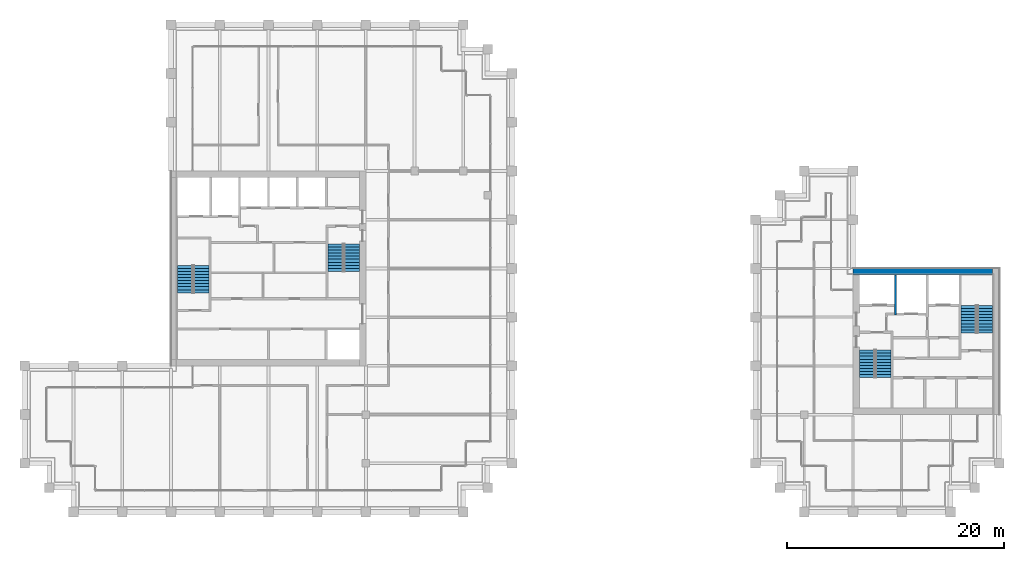
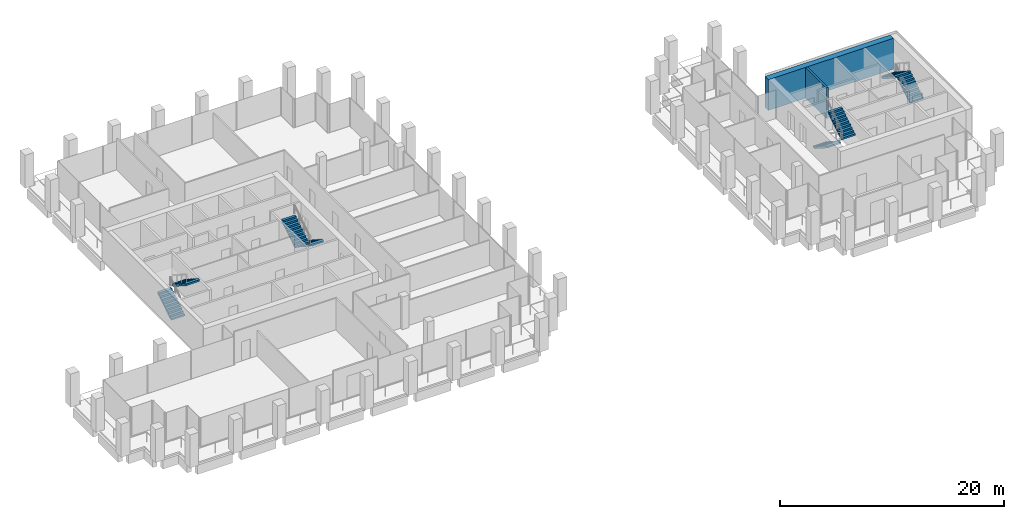
# One storey, part 39 of 40: 8 stair flights, 2 walls, 4 elements without a shape of their own.
"""IFC4 building model written with IfcOpenShell, lengths in metres."""

import ifcopenshell
import ifcopenshell.guid

model = None  # the IFC model being written
_history = None  # IfcOwnerHistory: only IFC2X3 demands one
_inside = {}  # id of a spatial element -> (the spatial element, [elements in it])
_under = {}  # id of a project, library or spatial element -> (it, [spatial elements below it])
_declared = {}  # id of a project -> (the project, [libraries it declares])
_typed = {}  # id of a type object -> (the type object, [elements of that type])
_made_of = {}  # id of a material, layer set ... -> (it, [elements and type objects made of it])


def new_model(schema):
    """Start an empty IFC model of exactly this schema.

    Asked for "IFC4X3", IfcOpenShell would pick the latest addendum, in which some entities
    have other attributes; the version numbers below select the first issue.
    IFC2X3 requires an IfcOwnerHistory on every rooted entity: one is made here for all.
    """
    global model, _history
    if schema == "IFC4X3":
        model = ifcopenshell.file(schema_version=(4, 3, 0, 0))
    else:
        model = ifcopenshell.file(schema=schema)
    _inside.clear()
    _under.clear()
    _declared.clear()
    _typed.clear()
    _made_of.clear()
    _history = None
    if model.schema == "IFC2X3":
        org = make("IfcOrganization", Name="unknown")
        user = make(
            "IfcPersonAndOrganization",
            ThePerson=make("IfcPerson", FamilyName="unknown"),
            TheOrganization=org,
        )
        app = make(
            "IfcApplication",
            ApplicationDeveloper=org,
            Version="unknown",
            ApplicationFullName="unknown",
            ApplicationIdentifier="unknown",
        )
        _history = make(
            "IfcOwnerHistory",
            OwningUser=user,
            OwningApplication=app,
            ChangeAction="ADDED",
            CreationDate=0,
        )
    return model


def make(cls, **values):
    """One entity of the class cls with the attributes given. An attribute that is None is left unset."""
    return model.create_entity(
        cls, **{name: value for name, value in values.items() if value is not None}
    )


def rooted(cls, **values):
    """An entity with a GlobalId (a new one), such as an element, a storey or a relation."""
    return make(cls, GlobalId=ifcopenshell.guid.new(), OwnerHistory=_history, **values)


def si_unit(unit_type, name, prefix=None):
    """IfcSIUnit, for example si_unit("LENGTHUNIT", "METRE", prefix="MILLI")."""
    return make("IfcSIUnit", UnitType=unit_type, Prefix=prefix, Name=name)


def assignment(units):
    """IfcUnitAssignment: the units of a project."""
    return None if units is None else make("IfcUnitAssignment", Units=units)


def point(xyz):
    """IfcCartesianPoint."""
    return None if xyz is None else make("IfcCartesianPoint", Coordinates=xyz)


def direction(xyz):
    """IfcDirection."""
    return None if xyz is None else make("IfcDirection", DirectionRatios=xyz)


def frame(location, z_axis=None, x_axis=None):
    """IfcAxis2Placement3D, a coordinate frame: its origin and axes. An axis left out is left unset."""
    return make(
        "IfcAxis2Placement3D",
        Location=point(location),
        Axis=direction(z_axis),
        RefDirection=direction(x_axis),
    )


def frame_2d(location, x_axis=None):
    """IfcAxis2Placement2D, a coordinate frame in the plane: its origin and x axis."""
    return make(
        "IfcAxis2Placement2D", Location=point(location), RefDirection=direction(x_axis)
    )


def origin():
    """The frame at (0, 0, 0) with its axes left unset."""
    return frame((0.0, 0.0, 0.0))


def place(relative_to, where):
    """IfcLocalPlacement: puts the frame where relative to a parent placement (None: the world)."""
    return make(
        "IfcLocalPlacement", PlacementRelTo=relative_to, RelativePlacement=where
    )


def context(
    kind, dimensions, precision=None, world=None, true_north=None, identifier=None
):
    """IfcGeometricRepresentationContext, for example the 3D "Model" context."""
    return make(
        "IfcGeometricRepresentationContext",
        ContextIdentifier=identifier,
        ContextType=kind,
        CoordinateSpaceDimension=dimensions,
        Precision=precision,
        WorldCoordinateSystem=world,
        TrueNorth=true_north,
    )


def subcontext(parent, identifier, kind, view, scale=None):
    """IfcGeometricRepresentationSubContext, for example "Body" below "Model"."""
    return make(
        "IfcGeometricRepresentationSubContext",
        ContextIdentifier=identifier,
        ContextType=kind,
        ParentContext=parent,
        TargetScale=scale,
        TargetView=view,
    )


def project(units=None, contexts=None):
    """IfcProject with its units and contexts."""
    return rooted(
        "IfcProject",
        Name="project",
        RepresentationContexts=contexts,
        UnitsInContext=assignment(units),
    )


def spatial(cls, under=None, at=None, **own):
    """A site, building, storey or space (cls), placed at a placement, below another one or the project."""
    s = rooted(cls, ObjectPlacement=at, **own)
    if under is not None:
        _under.setdefault(under.id(), (under, []))[1].append(s)
    return s


def polyline(points):
    """IfcPolyline through the points."""
    return make("IfcPolyline", Points=[point(p) for p in points])


def profile(cls, at=None, kind="AREA", **sizes):
    """A parametric profile (cls). Its sizes go by their IFC names, for example OverallWidth=200.0."""
    return make(cls, ProfileType=kind, Position=at, **sizes)


def rectangle(**sizes):
    """IfcRectangleProfileDef."""
    return profile("IfcRectangleProfileDef", **sizes)


def outline(outer, holes=None, kind="AREA"):
    """IfcArbitraryClosedProfileDef: a profile drawn as a closed curve; with holes, ...WithVoids."""
    if holes is None:
        return make("IfcArbitraryClosedProfileDef", ProfileType=kind, OuterCurve=outer)
    return make(
        "IfcArbitraryProfileDefWithVoids",
        ProfileType=kind,
        OuterCurve=outer,
        InnerCurves=holes,
    )


def extrude(swept, where, along, depth):
    """IfcExtrudedAreaSolid: the profile swept, set in the frame where, extruded along a direction by depth."""
    return make(
        "IfcExtrudedAreaSolid",
        SweptArea=swept,
        Position=where,
        ExtrudedDirection=direction(along),
        Depth=depth,
    )


def shape(context_of_items, identifier, shape_type, items):
    """IfcShapeRepresentation: the items that make up one representation, for example the "Body"."""
    return make(
        "IfcShapeRepresentation",
        ContextOfItems=context_of_items,
        RepresentationIdentifier=identifier,
        RepresentationType=shape_type,
        Items=items,
    )


def material(Name=None, Category=None):
    """IfcMaterial."""
    return make("IfcMaterial", Name=Name, Category=Category)


def layer(
    of_material, thickness, ventilated=None, Name=None, Category=None, Priority=None
):
    """IfcMaterialLayer: one layer of a wall or slab, of a material (None: an air gap)."""
    return make(
        "IfcMaterialLayer",
        Material=of_material,
        LayerThickness=thickness,
        IsVentilated=ventilated,
        Name=Name,
        Category=Category,
        Priority=Priority,
    )


def layer_set(layers, Name=None):
    """IfcMaterialLayerSet."""
    return make("IfcMaterialLayerSet", MaterialLayers=layers, LayerSetName=Name)


def made_of(thing, what):
    """Note that an element or type object is made of a material, layer set ...; save() writes the relation."""
    if what is not None:
        _made_of.setdefault(what.id(), (what, []))[1].append(thing)
    return thing


def type_object(cls, material=None, **own):
    """A type object (cls), such as IfcWallType, which elements share."""
    return made_of(rooted(cls, **own), material)


def element(
    cls,
    number,
    at=None,
    inside=None,
    cuts=None,
    type_object=None,
    material=None,
    context=None,
    identifier="Body",
    shape_type=None,
    held_by="IfcProductDefinitionShape",
    body=None,
    shapes=None,
    **own,
):
    """One element of the class cls, such as IfcWall. Its Tag is "e" and its number.

    at: its placement. inside: the storey or other place that contains it. cuts: it is an
    opening in that element (IfcRelVoidsElement). A single representation is given by context,
    identifier, shape_type and body (its items); several are given by shapes. held_by: the class
    of the entity that holds the representations. save() writes the other relations.
    """
    e = rooted(cls, Tag="e%d" % number, ObjectPlacement=at, **own)
    if body is not None:
        shapes = [shape(context, identifier, shape_type, body)]
    if shapes is not None:
        e.Representation = make(held_by, Representations=shapes)
    if inside is not None:
        _inside.setdefault(inside.id(), (inside, []))[1].append(e)
    if cuts is not None:
        rooted(
            "IfcRelVoidsElement", RelatingBuildingElement=cuts, RelatedOpeningElement=e
        )
    if type_object is not None:
        _typed.setdefault(type_object.id(), (type_object, []))[1].append(e)
    return made_of(e, material)


def aggregate(whole, parts):
    """IfcRelAggregates: a whole, such as a stair, and the parts it consists of."""
    return rooted("IfcRelAggregates", RelatingObject=whole, RelatedObjects=parts)


def save(model, path):
    """Write the relations noted so far, then the file.

    IfcRelAggregates (storeys below a building ...), IfcRelContainedInSpatialStructure (elements
    in a storey), IfcRelDefinesByType, IfcRelAssociatesMaterial and IfcRelDeclares: one each for
    every whole, place, type object, material and project.
    """
    for whole, parts in _under.values():
        aggregate(whole, parts)
    for where, things in _inside.values():
        rooted(
            "IfcRelContainedInSpatialStructure",
            RelatedElements=things,
            RelatingStructure=where,
        )
    for kind, things in _typed.values():
        rooted("IfcRelDefinesByType", RelatedObjects=things, RelatingType=kind)
    for what, things in _made_of.values():
        rooted("IfcRelAssociatesMaterial", RelatedObjects=things, RelatingMaterial=what)
    for by, libraries in _declared.values():
        rooted("IfcRelDeclares", RelatingContext=by, RelatedDefinitions=libraries)
    model.write(path)


model = new_model("IFC4")

# Units and contexts
model_context = context("Model", 3, precision=1e-05, world=origin(), true_north=direction((0.0, 1.0)))
body_context = subcontext(model_context, "Body", "Model", "MODEL_VIEW")
ifc_project = project(units=[si_unit("LENGTHUNIT", "METRE"), si_unit("AREAUNIT", "SQUARE_METRE"), si_unit("VOLUMEUNIT", "CUBIC_METRE"), si_unit("PLANEANGLEUNIT", "RADIAN"), si_unit("MASSUNIT", "GRAM", prefix="KILO")], contexts=[model_context])

# Site, building, storey
site_placement = place(None, origin())
site = spatial("IfcSite", under=ifc_project, at=site_placement, CompositionType="ELEMENT")
building_placement = place(site_placement, origin())
building = spatial("IfcBuilding", under=site, at=building_placement, Name="Altepetl Exchange Towers", CompositionType="ELEMENT")
storey_placement = place(building_placement, frame((0.0, 0.0, 151.0)))
storey = spatial("IfcBuildingStorey", under=building, at=storey_placement, Name="L37", CompositionType="ELEMENT", Elevation=151.0)

# Walls
ifc_material_1 = material(Name="Concrete C70/85", Category="concrete")
ifc_layer_1 = layer(ifc_material_1, 0.60009765625)
ifc_layer_set_1 = layer_set([ifc_layer_1], Name="Concrete C70/85")
wall_type_1 = type_object("IfcWallType", Name="Core wall 600 reinforced concrete external", PredefinedType="SHEAR", material=ifc_layer_set_1)
wall_1_placement = place(storey_placement, frame((103.5, 49.199951171875, 0.0)))
element("IfcWall", 1, at=wall_1_placement, inside=storey, type_object=wall_type_1, Name="wall:B:L37:K-coreN", PredefinedType="SHEAR", context=body_context, shape_type="SweptSolid", body=[
    extrude(rectangle(XDim=12.89990234375, YDim=0.60009765625, at=frame_2d((6.449951171875, 0.0))), origin(), (0.0, 0.0, 1.0), 3.35009765625),
])
ifc_material_2 = material(Name="Concrete C40/50", Category="concrete")
ifc_layer_2 = layer(ifc_material_2, 0.199951171875)
ifc_layer_set_2 = layer_set([ifc_layer_2], Name="Concrete C40/50")
wall_type_2 = type_object("IfcWallType", Name="Shaft wall 200 reinforced concrete", PredefinedType="SHEAR", material=ifc_layer_set_2)
wall_2_placement = place(storey_placement, frame((107.433349609375, 48.89990234375, 0.0), z_axis=(0.0, 0.0, 1.0), x_axis=(0.0, -1.0, 0.0)))
element("IfcWall", 2, at=wall_2_placement, inside=storey, type_object=wall_type_2, Name="wall:B:L37:K-divN1", PredefinedType="SHEAR", context=body_context, shape_type="SweptSolid", body=[
    extrude(rectangle(XDim=3.699951171875, YDim=0.199951171875, at=frame_2d((1.85009765625, 0.0))), origin(), (0.0, 0.0, 1.0), 3.35009765625),
])

# Stair, stair flights
stair_type = type_object("IfcStairType", Name="Exit stair 1400 flights dogleg", PredefinedType="HALF_TURN_STAIR", material=ifc_material_2)
stair_1_placement = place(storey_placement, origin())
stair_1 = element("IfcStair", 3, at=stair_1_placement, inside=storey, type_object=stair_type, Name="Exit stair 1", PredefinedType="HALF_TURN_STAIR")
stair_flight_type = type_object("IfcStairFlightType", Name="Stair flight 1400 wide", PredefinedType="STRAIGHT", material=ifc_material_2)
stair_flight_1_placement = place(storey_placement, frame((41.800048828125, 47.25, 0.0), z_axis=(0.0, 0.0, 1.0), x_axis=(0.0, 1.0, 0.0)))
stair_flight_1 = element("IfcStairFlight", 4, at=stair_flight_1_placement, type_object=stair_flight_type, Name="ST-A1e flight 1", NumberOfRisers=10, NumberOfTreads=9, PredefinedType="STRAIGHT", RiserHeight=0.18, TreadLength=0.28, context=body_context, shape_type="SweptSolid", body=[
    extrude(outline(polyline([(0.0, 0.0), (0.0, 0.179931640625), (0.280029296875, 0.179931640625), (0.280029296875, 0.360107421875), (0.56005859375, 0.360107421875), (0.56005859375, 0.5400390625), (0.840087890625, 0.5400390625), (0.840087890625, 0.719970703125), (1.1201171875, 0.719970703125), (1.1201171875, 0.89990234375), (1.39990234375, 0.89990234375), (1.39990234375, 1.080078125), (1.679931640625, 1.080078125), (1.679931640625, 1.260009765625), (1.9599609375, 1.260009765625), (1.9599609375, 1.43994140625), (2.239990234375, 1.43994140625), (2.239990234375, 1.6201171875), (2.52001953125, 1.6201171875), (2.52001953125, 1.800048828125), (2.52001953125, 1.44189453125), (0.277099609375, 0.0), (0.0, 0.0)])), frame((0.0, 0.699951171875, 0.0), z_axis=(0.0, -1.0, 0.0), x_axis=(1.0, 0.0, 0.0)), (0.0, 0.0, 1.0), 1.39990234375),
])
stair_flight_2_placement = place(storey_placement, frame((43.300048828125, 49.77001953125, 1.800048828125), z_axis=(0.0, 0.0, 1.0), x_axis=(0.0, -1.0, 0.0)))
stair_flight_2 = element("IfcStairFlight", 5, at=stair_flight_2_placement, type_object=stair_flight_type, Name="ST-A1e flight 2", NumberOfRisers=10, NumberOfTreads=9, PredefinedType="STRAIGHT", RiserHeight=0.18, TreadLength=0.28, context=body_context, shape_type="SweptSolid", body=[
    extrude(outline(polyline([(0.0, 0.0), (0.0, 0.179931640625), (0.280029296875, 0.179931640625), (0.280029296875, 0.360107421875), (0.56005859375, 0.360107421875), (0.56005859375, 0.5400390625), (0.840087890625, 0.5400390625), (0.840087890625, 0.719970703125), (1.1201171875, 0.719970703125), (1.1201171875, 0.89990234375), (1.39990234375, 0.89990234375), (1.39990234375, 1.080078125), (1.679931640625, 1.080078125), (1.679931640625, 1.260009765625), (1.9599609375, 1.260009765625), (1.9599609375, 1.43994140625), (2.239990234375, 1.43994140625), (2.239990234375, 1.6201171875), (2.52001953125, 1.6201171875), (2.52001953125, 1.800048828125), (2.52001953125, 1.44189453125), (0.277099609375, 0.0), (0.0, 0.0)])), frame((0.0, 0.699951171875, 0.0), z_axis=(0.0, -1.0, 0.0), x_axis=(1.0, 0.0, 0.0)), (0.0, 0.0, 1.0), 1.39990234375),
])
aggregate(stair_1, [stair_flight_1, stair_flight_2])

stair_2_placement = place(storey_placement, origin())
stair_2 = element("IfcStair", 6, at=stair_2_placement, inside=storey, type_object=stair_type, Name="Exit stair 2", PredefinedType="HALF_TURN_STAIR")
stair_flight_3_placement = place(storey_placement, frame((57.199951171875, 51.75, 0.0), z_axis=(0.0, 0.0, 1.0), x_axis=(0.0, -1.0, 0.0)))
stair_flight_3 = element("IfcStairFlight", 7, at=stair_flight_3_placement, type_object=stair_flight_type, Name="ST-A2e flight 1", NumberOfRisers=10, NumberOfTreads=9, PredefinedType="STRAIGHT", RiserHeight=0.18, TreadLength=0.28, context=body_context, shape_type="SweptSolid", body=[
    extrude(outline(polyline([(0.0, 0.0), (0.0, 0.179931640625), (0.280029296875, 0.179931640625), (0.280029296875, 0.360107421875), (0.56005859375, 0.360107421875), (0.56005859375, 0.5400390625), (0.840087890625, 0.5400390625), (0.840087890625, 0.719970703125), (1.1201171875, 0.719970703125), (1.1201171875, 0.89990234375), (1.39990234375, 0.89990234375), (1.39990234375, 1.080078125), (1.679931640625, 1.080078125), (1.679931640625, 1.260009765625), (1.9599609375, 1.260009765625), (1.9599609375, 1.43994140625), (2.239990234375, 1.43994140625), (2.239990234375, 1.6201171875), (2.52001953125, 1.6201171875), (2.52001953125, 1.800048828125), (2.52001953125, 1.44189453125), (0.277099609375, 0.0), (0.0, 0.0)])), frame((0.0, 0.699951171875, 0.0), z_axis=(0.0, -1.0, 0.0), x_axis=(1.0, 0.0, 0.0)), (0.0, 0.0, 1.0), 1.39990234375),
])
stair_flight_4_placement = place(storey_placement, frame((55.699951171875, 49.22998046875, 1.800048828125), z_axis=(0.0, 0.0, 1.0), x_axis=(0.0, 1.0, 0.0)))
stair_flight_4 = element("IfcStairFlight", 8, at=stair_flight_4_placement, type_object=stair_flight_type, Name="ST-A2e flight 2", NumberOfRisers=10, NumberOfTreads=9, PredefinedType="STRAIGHT", RiserHeight=0.18, TreadLength=0.28, context=body_context, shape_type="SweptSolid", body=[
    extrude(outline(polyline([(0.0, 0.0), (0.0, 0.179931640625), (0.280029296875, 0.179931640625), (0.280029296875, 0.360107421875), (0.56005859375, 0.360107421875), (0.56005859375, 0.5400390625), (0.840087890625, 0.5400390625), (0.840087890625, 0.719970703125), (1.1201171875, 0.719970703125), (1.1201171875, 0.89990234375), (1.39990234375, 0.89990234375), (1.39990234375, 1.080078125), (1.679931640625, 1.080078125), (1.679931640625, 1.260009765625), (1.9599609375, 1.260009765625), (1.9599609375, 1.43994140625), (2.239990234375, 1.43994140625), (2.239990234375, 1.6201171875), (2.52001953125, 1.6201171875), (2.52001953125, 1.800048828125), (2.52001953125, 1.44189453125), (0.277099609375, 0.0), (0.0, 0.0)])), frame((0.0, 0.699951171875, 0.0), z_axis=(0.0, -1.0, 0.0), x_axis=(1.0, 0.0, 0.0)), (0.0, 0.0, 1.0), 1.39990234375),
])
aggregate(stair_2, [stair_flight_3, stair_flight_4])

stair_3_placement = place(storey_placement, origin())
stair_3 = element("IfcStair", 9, at=stair_3_placement, inside=storey, type_object=stair_type, Name="Exit stair 1", PredefinedType="HALF_TURN_STAIR")
stair_flight_5_placement = place(storey_placement, frame((104.800048828125, 41.949951171875, 0.0), z_axis=(0.0, 0.0, 1.0), x_axis=(0.0, -1.0, 0.0)))
stair_flight_5 = element("IfcStairFlight", 10, at=stair_flight_5_placement, type_object=stair_flight_type, Name="ST-B1e flight 1", NumberOfRisers=10, NumberOfTreads=9, PredefinedType="STRAIGHT", RiserHeight=0.18, TreadLength=0.28, context=body_context, shape_type="SweptSolid", body=[
    extrude(outline(polyline([(0.0, 0.0), (0.0, 0.179931640625), (0.280029296875, 0.179931640625), (0.280029296875, 0.360107421875), (0.56005859375, 0.360107421875), (0.56005859375, 0.5400390625), (0.840087890625, 0.5400390625), (0.840087890625, 0.719970703125), (1.1201171875, 0.719970703125), (1.1201171875, 0.89990234375), (1.39990234375, 0.89990234375), (1.39990234375, 1.080078125), (1.679931640625, 1.080078125), (1.679931640625, 1.260009765625), (1.9599609375, 1.260009765625), (1.9599609375, 1.43994140625), (2.239990234375, 1.43994140625), (2.239990234375, 1.6201171875), (2.52001953125, 1.6201171875), (2.52001953125, 1.800048828125), (2.52001953125, 1.44189453125), (0.277099609375, 0.0), (0.0, 0.0)])), frame((0.0, 0.699951171875, 0.0), z_axis=(0.0, -1.0, 0.0), x_axis=(1.0, 0.0, 0.0)), (0.0, 0.0, 1.0), 1.39990234375),
])
stair_flight_6_placement = place(storey_placement, frame((106.300048828125, 39.429931640625, 1.800048828125), z_axis=(0.0, 0.0, 1.0), x_axis=(0.0, 1.0, 0.0)))
stair_flight_6 = element("IfcStairFlight", 11, at=stair_flight_6_placement, type_object=stair_flight_type, Name="ST-B1e flight 2", NumberOfRisers=10, NumberOfTreads=9, PredefinedType="STRAIGHT", RiserHeight=0.18, TreadLength=0.28, context=body_context, shape_type="SweptSolid", body=[
    extrude(outline(polyline([(0.0, 0.0), (0.0, 0.179931640625), (0.280029296875, 0.179931640625), (0.280029296875, 0.360107421875), (0.56005859375, 0.360107421875), (0.56005859375, 0.5400390625), (0.840087890625, 0.5400390625), (0.840087890625, 0.719970703125), (1.1201171875, 0.719970703125), (1.1201171875, 0.89990234375), (1.39990234375, 0.89990234375), (1.39990234375, 1.080078125), (1.679931640625, 1.080078125), (1.679931640625, 1.260009765625), (1.9599609375, 1.260009765625), (1.9599609375, 1.43994140625), (2.239990234375, 1.43994140625), (2.239990234375, 1.6201171875), (2.52001953125, 1.6201171875), (2.52001953125, 1.800048828125), (2.52001953125, 1.44189453125), (0.277099609375, 0.0), (0.0, 0.0)])), frame((0.0, 0.699951171875, 0.0), z_axis=(0.0, -1.0, 0.0), x_axis=(1.0, 0.0, 0.0)), (0.0, 0.0, 1.0), 1.39990234375),
])
aggregate(stair_3, [stair_flight_5, stair_flight_6])

stair_4_placement = place(storey_placement, origin())
stair_4 = element("IfcStair", 12, at=stair_4_placement, inside=storey, type_object=stair_type, Name="Exit stair 2", PredefinedType="HALF_TURN_STAIR")
stair_flight_7_placement = place(storey_placement, frame((115.699951171875, 43.550048828125, 0.0), z_axis=(0.0, 0.0, 1.0), x_axis=(0.0, 1.0, 0.0)))
stair_flight_7 = element("IfcStairFlight", 13, at=stair_flight_7_placement, type_object=stair_flight_type, Name="ST-B2e flight 1", NumberOfRisers=10, NumberOfTreads=9, PredefinedType="STRAIGHT", RiserHeight=0.18, TreadLength=0.28, context=body_context, shape_type="SweptSolid", body=[
    extrude(outline(polyline([(0.0, 0.0), (0.0, 0.179931640625), (0.280029296875, 0.179931640625), (0.280029296875, 0.360107421875), (0.56005859375, 0.360107421875), (0.56005859375, 0.5400390625), (0.840087890625, 0.5400390625), (0.840087890625, 0.719970703125), (1.1201171875, 0.719970703125), (1.1201171875, 0.89990234375), (1.39990234375, 0.89990234375), (1.39990234375, 1.080078125), (1.679931640625, 1.080078125), (1.679931640625, 1.260009765625), (1.9599609375, 1.260009765625), (1.9599609375, 1.43994140625), (2.239990234375, 1.43994140625), (2.239990234375, 1.6201171875), (2.52001953125, 1.6201171875), (2.52001953125, 1.800048828125), (2.52001953125, 1.44189453125), (0.277099609375, 0.0), (0.0, 0.0)])), frame((0.0, 0.699951171875, 0.0), z_axis=(0.0, -1.0, 0.0), x_axis=(1.0, 0.0, 0.0)), (0.0, 0.0, 1.0), 1.39990234375),
])
stair_flight_8_placement = place(storey_placement, frame((114.199951171875, 46.070068359375, 1.800048828125), z_axis=(0.0, 0.0, 1.0), x_axis=(0.0, -1.0, 0.0)))
stair_flight_8 = element("IfcStairFlight", 14, at=stair_flight_8_placement, type_object=stair_flight_type, Name="ST-B2e flight 2", NumberOfRisers=10, NumberOfTreads=9, PredefinedType="STRAIGHT", RiserHeight=0.18, TreadLength=0.28, context=body_context, shape_type="SweptSolid", body=[
    extrude(outline(polyline([(0.0, 0.0), (0.0, 0.179931640625), (0.280029296875, 0.179931640625), (0.280029296875, 0.360107421875), (0.56005859375, 0.360107421875), (0.56005859375, 0.5400390625), (0.840087890625, 0.5400390625), (0.840087890625, 0.719970703125), (1.1201171875, 0.719970703125), (1.1201171875, 0.89990234375), (1.39990234375, 0.89990234375), (1.39990234375, 1.080078125), (1.679931640625, 1.080078125), (1.679931640625, 1.260009765625), (1.9599609375, 1.260009765625), (1.9599609375, 1.43994140625), (2.239990234375, 1.43994140625), (2.239990234375, 1.6201171875), (2.52001953125, 1.6201171875), (2.52001953125, 1.800048828125), (2.52001953125, 1.44189453125), (0.277099609375, 0.0), (0.0, 0.0)])), frame((0.0, 0.699951171875, 0.0), z_axis=(0.0, -1.0, 0.0), x_axis=(1.0, 0.0, 0.0)), (0.0, 0.0, 1.0), 1.39990234375),
])
aggregate(stair_4, [stair_flight_7, stair_flight_8])

save(model, "model.ifc")
